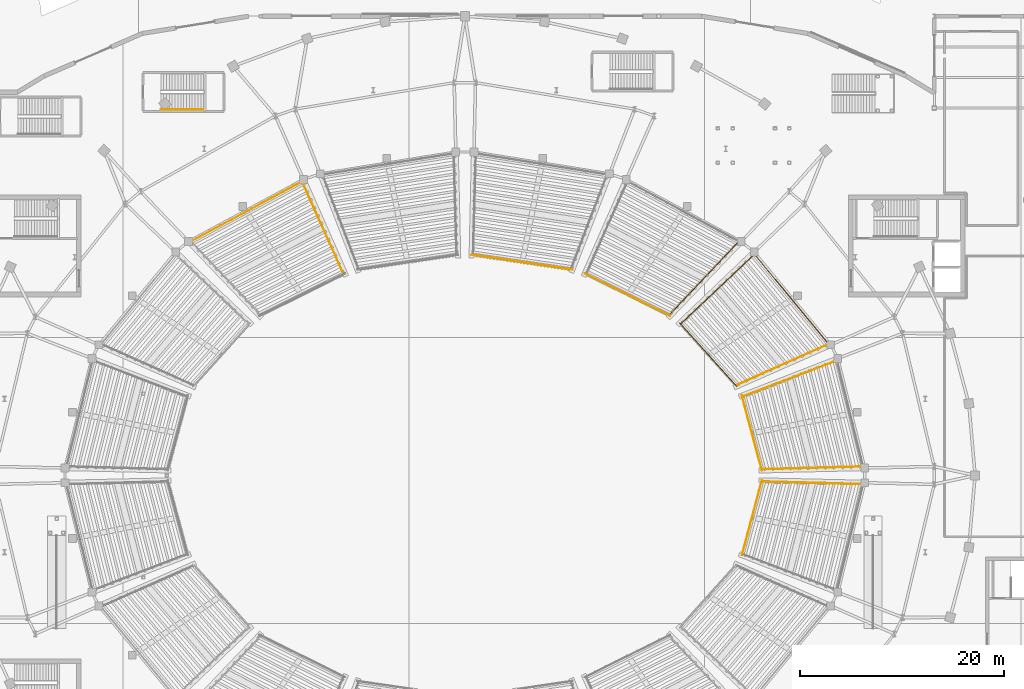
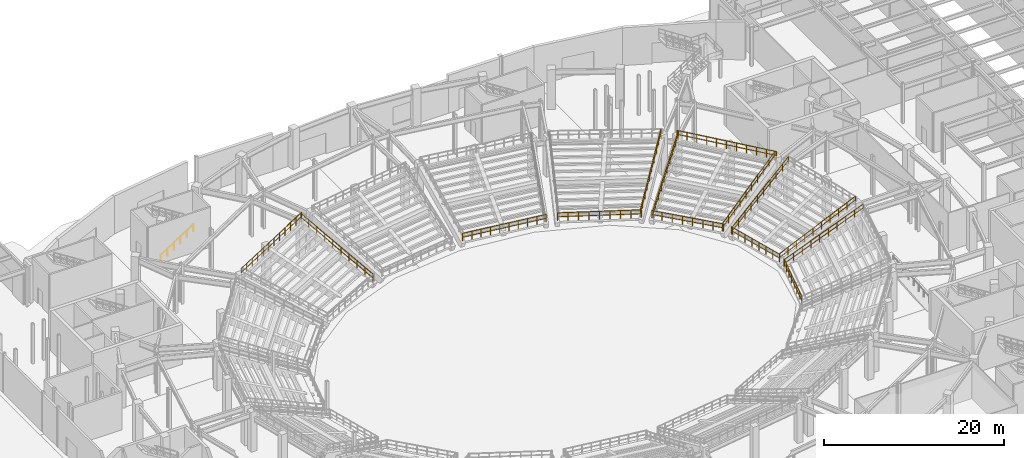
# One storey, part 76 of 79: 15 railings.
"""IFC4 building model written with IfcOpenShell, lengths in metres."""

from ifc_helpers import new_model, si_unit, direction, frame, origin, origin_2d, place, context, subcontext, project, spatial, circle, extrude, material, type_object, element, save


model = new_model("IFC4")

# Units and contexts
model_context = context("Model", 3, precision=1e-05, world=origin(), true_north=direction((0.0, 1.0)))
body_context = subcontext(model_context, "Body", "Model", "MODEL_VIEW")
ifc_project = project(units=[si_unit("LENGTHUNIT", "METRE"), si_unit("AREAUNIT", "SQUARE_METRE"), si_unit("VOLUMEUNIT", "CUBIC_METRE"), si_unit("PLANEANGLEUNIT", "RADIAN"), si_unit("MASSUNIT", "GRAM", prefix="KILO")], contexts=[model_context])

# Site, building, storey
site_placement = place(None, origin())
site = spatial("IfcSite", under=ifc_project, at=site_placement, CompositionType="ELEMENT")
building_placement = place(site_placement, origin())
building = spatial("IfcBuilding", under=site, at=building_placement, Name="Glasvene Arena", CompositionType="ELEMENT")
storey_placement = place(building_placement, origin())
storey = spatial("IfcBuildingStorey", under=building, at=storey_placement, Name="L00", CompositionType="ELEMENT", Elevation=0.0)

# Railings
ifc_material = material(Name="Brushed stainless steel", Category="steel")
railing_type_1 = type_object("IfcRailingType", Name="RL-GUARD-1100", PredefinedType="GUARDRAIL", material=ifc_material)
railing_1_placement = place(storey_placement, frame((121.112548828125, 73.490478515625, 0.760009765625)))
element("IfcRailing", 1, at=railing_1_placement, inside=storey, type_object=railing_type_1, Name="Safety guardrail GD-TL-LF-01-001", PredefinedType="GUARDRAIL", context=body_context, shape_type="SweptSolid", body=[
    extrude(circle(Radius=0.02392578125, at=origin_2d()), frame((0.0, 0.0, 1.076171875), z_axis=(-0.258774155534, 0.965937853295, 0.0), x_axis=(-0.965937853295, -0.258774155534, 0.0)), (0.0, 0.0, 1.0), 7.586181640625),
    extrude(circle(Radius=0.01611328125, at=origin_2d()), frame((0.0, 0.0, 0.550048828125), z_axis=(-0.258774155534, 0.965937853295, 0.0), x_axis=(-0.965937853295, -0.258774155534, 0.0)), (0.0, 0.0, 1.0), 7.586181640625),
    extrude(circle(Radius=0.02099609375, at=origin_2d()), origin(), (0.0, 0.0, 1.0), 1.052001953125),
    extrude(circle(Radius=0.02099609375, at=origin_2d()), frame((-0.280517578125, 1.046875, 0.0)), (0.0, 0.0, 1.0), 1.052001953125),
    extrude(circle(Radius=0.02099609375, at=origin_2d()), frame((-0.560791015625, 2.09375, 0.0)), (0.0, 0.0, 1.0), 1.052001953125),
    extrude(circle(Radius=0.02099609375, at=origin_2d()), frame((-0.84130859375, 3.140625, 0.0)), (0.0, 0.0, 1.0), 1.052001953125),
    extrude(circle(Radius=0.02099609375, at=origin_2d()), frame((-1.121826171875, 4.187255859375, 0.0)), (0.0, 0.0, 1.0), 1.052001953125),
    extrude(circle(Radius=0.02099609375, at=origin_2d()), frame((-1.40234375, 5.234130859375, 0.0)), (0.0, 0.0, 1.0), 1.052001953125),
    extrude(circle(Radius=0.02099609375, at=origin_2d()), frame((-1.6826171875, 6.281005859375, 0.0)), (0.0, 0.0, 1.0), 1.052001953125),
    extrude(circle(Radius=0.02099609375, at=origin_2d()), frame((-1.963134765625, 7.327880859375, 0.0)), (0.0, 0.0, 1.0), 1.052001953125),
])
railing_2_placement = place(storey_placement, frame((121.138916015625, 73.599365234375, 0.760009765625)))
element("IfcRailing", 2, at=railing_2_placement, inside=storey, type_object=railing_type_1, Name="Lower tier radial aisle guard 01-1", PredefinedType="GUARDRAIL", context=body_context, shape_type="SweptSolid", body=[
    extrude(circle(Radius=0.02392578125, at=origin_2d()), frame((0.0, 0.0, 1.076171875), z_axis=(0.920895570799, 0.025513537426, 0.388973530065), x_axis=(-0.027694509667, 0.999616433506, 0.0)), (0.0, 0.0, 1.0), 10.74609375),
    extrude(circle(Radius=0.01611328125, at=origin_2d()), frame((0.0, 0.0, 0.550048828125), z_axis=(0.920895570799, 0.025513537426, 0.388973530065), x_axis=(-0.027694509667, 0.999616433506, 0.0)), (0.0, 0.0, 1.0), 10.74609375),
    extrude(circle(Radius=0.02099609375, at=origin_2d()), origin(), (0.0, 0.0, 1.0), 1.052001953125),
    extrude(circle(Radius=0.02099609375, at=origin_2d()), frame((1.099609375, 0.030517578125, 0.46435546875)), (0.0, 0.0, 1.0), 1.052001953125),
    extrude(circle(Radius=0.02099609375, at=origin_2d()), frame((2.19921875, 0.06103515625, 0.928955078125)), (0.0, 0.0, 1.0), 1.052001953125),
    extrude(circle(Radius=0.02099609375, at=origin_2d()), frame((3.298583984375, 0.09130859375, 1.393310546875)), (0.0, 0.0, 1.0), 1.052001953125),
    extrude(circle(Radius=0.02099609375, at=origin_2d()), frame((4.398193359375, 0.121826171875, 1.857666015625)), (0.0, 0.0, 1.0), 1.052001953125),
    extrude(circle(Radius=0.02099609375, at=origin_2d()), frame((5.497802734375, 0.15234375, 2.322265625)), (0.0, 0.0, 1.0), 1.052001953125),
    extrude(circle(Radius=0.02099609375, at=origin_2d()), frame((6.597412109375, 0.182861328125, 2.78662109375)), (0.0, 0.0, 1.0), 1.052001953125),
    extrude(circle(Radius=0.02099609375, at=origin_2d()), frame((7.69677734375, 0.213134765625, 3.2509765625)), (0.0, 0.0, 1.0), 1.052001953125),
    extrude(circle(Radius=0.02099609375, at=origin_2d()), frame((8.79638671875, 0.24365234375, 3.715576171875)), (0.0, 0.0, 1.0), 1.052001953125),
    extrude(circle(Radius=0.02099609375, at=origin_2d()), frame((9.89599609375, 0.274169921875, 4.179931640625)), (0.0, 0.0, 1.0), 1.052001953125),
])
railing_3_placement = place(storey_placement, frame((119.2294921875, 80.728271484375, 0.760009765625)))
element("IfcRailing", 3, at=railing_3_placement, inside=storey, type_object=railing_type_1, Name="Lower tier radial aisle guard 01-2", PredefinedType="GUARDRAIL", context=body_context, shape_type="SweptSolid", body=[
    extrude(circle(Radius=0.02392578125, at=origin_2d()), frame((0.0, 0.0, 1.076171875), z_axis=(0.860565498755, 0.328831939306, 0.388968608046), x_axis=(-0.356940655719, 0.934127062179, 0.0)), (0.0, 0.0, 1.0), 10.74609375),
    extrude(circle(Radius=0.01611328125, at=origin_2d()), frame((0.0, 0.0, 0.550048828125), z_axis=(0.860565498755, 0.328831939306, 0.388968608046), x_axis=(-0.356940655719, 0.934127062179, 0.0)), (0.0, 0.0, 1.0), 10.74609375),
    extrude(circle(Radius=0.02099609375, at=origin_2d()), origin(), (0.0, 0.0, 1.0), 1.052001953125),
    extrude(circle(Radius=0.02099609375, at=origin_2d()), frame((1.027587890625, 0.392578125, 0.46435546875)), (0.0, 0.0, 1.0), 1.052001953125),
    extrude(circle(Radius=0.02099609375, at=origin_2d()), frame((2.05517578125, 0.78515625, 0.928955078125)), (0.0, 0.0, 1.0), 1.052001953125),
    extrude(circle(Radius=0.02099609375, at=origin_2d()), frame((3.08251953125, 1.177978515625, 1.393310546875)), (0.0, 0.0, 1.0), 1.052001953125),
    extrude(circle(Radius=0.02099609375, at=origin_2d()), frame((4.110107421875, 1.570556640625, 1.857666015625)), (0.0, 0.0, 1.0), 1.052001953125),
    extrude(circle(Radius=0.02099609375, at=origin_2d()), frame((5.1376953125, 1.963134765625, 2.322265625)), (0.0, 0.0, 1.0), 1.052001953125),
    extrude(circle(Radius=0.02099609375, at=origin_2d()), frame((6.165283203125, 2.355712890625, 2.78662109375)), (0.0, 0.0, 1.0), 1.052001953125),
    extrude(circle(Radius=0.02099609375, at=origin_2d()), frame((7.192626953125, 2.74853515625, 3.2509765625)), (0.0, 0.0, 1.0), 1.052001953125),
    extrude(circle(Radius=0.02099609375, at=origin_2d()), frame((8.22021484375, 3.14111328125, 3.715576171875)), (0.0, 0.0, 1.0), 1.052001953125),
    extrude(circle(Radius=0.02099609375, at=origin_2d()), frame((9.247802734375, 3.53369140625, 4.179931640625)), (0.0, 0.0, 1.0), 1.052001953125),
])
railing_4_placement = place(storey_placement, frame((118.6435546875, 81.724609375, 0.760009765625)))
element("IfcRailing", 4, at=railing_4_placement, inside=storey, type_object=railing_type_1, Name="Safety guardrail GD-TL-LF-02-001", PredefinedType="GUARDRAIL", context=body_context, shape_type="SweptSolid", body=[
    extrude(circle(Radius=0.02392578125, at=origin_2d()), frame((0.0, 0.0, 1.076171875), z_axis=(-0.668942136824, 0.743314480944, 0.0), x_axis=(-0.743314480944, -0.668942136824, 0.0)), (0.0, 0.0, 1.0), 8.357666015625),
    extrude(circle(Radius=0.01611328125, at=origin_2d()), frame((0.0, 0.0, 0.550048828125), z_axis=(-0.668942136824, 0.743314480944, 0.0), x_axis=(-0.743314480944, -0.668942136824, 0.0)), (0.0, 0.0, 1.0), 8.357666015625),
    extrude(circle(Radius=0.02099609375, at=origin_2d()), origin(), (0.0, 0.0, 1.0), 1.052001953125),
    extrude(circle(Radius=0.02099609375, at=origin_2d()), frame((-0.798583984375, 0.887451171875, 0.0)), (0.0, 0.0, 1.0), 1.052001953125),
    extrude(circle(Radius=0.02099609375, at=origin_2d()), frame((-1.597412109375, 1.77490234375, 0.0)), (0.0, 0.0, 1.0), 1.052001953125),
    extrude(circle(Radius=0.02099609375, at=origin_2d()), frame((-2.39599609375, 2.662353515625, 0.0)), (0.0, 0.0, 1.0), 1.052001953125),
    extrude(circle(Radius=0.02099609375, at=origin_2d()), frame((-3.19482421875, 3.550048828125, 0.0)), (0.0, 0.0, 1.0), 1.052001953125),
    extrude(circle(Radius=0.02099609375, at=origin_2d()), frame((-3.993408203125, 4.4375, 0.0)), (0.0, 0.0, 1.0), 1.052001953125),
    extrude(circle(Radius=0.02099609375, at=origin_2d()), frame((-4.792236328125, 5.324951171875, 0.0)), (0.0, 0.0, 1.0), 1.052001953125),
    extrude(circle(Radius=0.02099609375, at=origin_2d()), frame((-5.5908203125, 6.21240234375, 0.0)), (0.0, 0.0, 1.0), 1.052001953125),
])
railing_5_placement = place(storey_placement, frame((127.756591796875, 85.743896484375, 4.93994140625)))
element("IfcRailing", 5, at=railing_5_placement, inside=storey, type_object=railing_type_1, Name="Safety guardrail GD-TL-LR-02-001", PredefinedType="GUARDRAIL", context=body_context, shape_type="SweptSolid", body=[
    extrude(circle(Radius=0.02392578125, at=origin_2d()), frame((0.0, 0.0, 1.076171875), z_axis=(-0.637226468671, 0.770676603787, 0.0), x_axis=(-0.770676603787, -0.637226468671, 0.0)), (0.0, 0.0, 1.0), 11.7744140625),
    extrude(circle(Radius=0.01611328125, at=origin_2d()), frame((0.0, 0.0, 0.550048828125), z_axis=(-0.637226468671, 0.770676603787, 0.0), x_axis=(-0.770676603787, -0.637226468671, 0.0)), (0.0, 0.0, 1.0), 11.7744140625),
    extrude(circle(Radius=0.02099609375, at=origin_2d()), origin(), (0.0, 0.0, 1.0), 1.052001953125),
    extrude(circle(Radius=0.02099609375, at=origin_2d()), frame((-0.750244140625, 0.907470703125, 0.0)), (0.0, 0.0, 1.0), 1.052001953125),
    extrude(circle(Radius=0.02099609375, at=origin_2d()), frame((-1.50048828125, 1.81494140625, 0.0)), (0.0, 0.0, 1.0), 1.052001953125),
    extrude(circle(Radius=0.02099609375, at=origin_2d()), frame((-2.2509765625, 2.72216796875, 0.0)), (0.0, 0.0, 1.0), 1.052001953125),
    extrude(circle(Radius=0.02099609375, at=origin_2d()), frame((-3.001220703125, 3.629638671875, 0.0)), (0.0, 0.0, 1.0), 1.052001953125),
    extrude(circle(Radius=0.02099609375, at=origin_2d()), frame((-3.75146484375, 4.537109375, 0.0)), (0.0, 0.0, 1.0), 1.052001953125),
    extrude(circle(Radius=0.02099609375, at=origin_2d()), frame((-4.501708984375, 5.444580078125, 0.0)), (0.0, 0.0, 1.0), 1.052001953125),
    extrude(circle(Radius=0.02099609375, at=origin_2d()), frame((-5.251953125, 6.35205078125, 0.0)), (0.0, 0.0, 1.0), 1.052001953125),
    extrude(circle(Radius=0.02099609375, at=origin_2d()), frame((-6.00244140625, 7.25927734375, 0.0)), (0.0, 0.0, 1.0), 1.052001953125),
    extrude(circle(Radius=0.02099609375, at=origin_2d()), frame((-6.752685546875, 8.166748046875, 0.0)), (0.0, 0.0, 1.0), 1.052001953125),
    extrude(circle(Radius=0.02099609375, at=origin_2d()), frame((-7.5029296875, 9.07421875, 0.0)), (0.0, 0.0, 1.0), 1.052001953125),
])
railing_6_placement = place(storey_placement, frame((118.61181640625, 81.835693359375, 0.760009765625)))
element("IfcRailing", 6, at=railing_6_placement, inside=storey, type_object=railing_type_1, Name="Lower tier radial aisle guard 02-1", PredefinedType="GUARDRAIL", context=body_context, shape_type="SweptSolid", body=[
    extrude(circle(Radius=0.02392578125, at=origin_2d()), frame((0.0, 0.0, 1.076171875), z_axis=(0.841042563184, 0.375970107459, 0.388965146523), x_axis=(-0.408107570305, 0.912933848129, 0.0)), (0.0, 0.0, 1.0), 10.746337890625),
    extrude(circle(Radius=0.01611328125, at=origin_2d()), frame((0.0, 0.0, 0.550048828125), z_axis=(0.841042563184, 0.375970107459, 0.388965146523), x_axis=(-0.408107570305, 0.912933848129, 0.0)), (0.0, 0.0, 1.0), 10.746337890625),
    extrude(circle(Radius=0.02099609375, at=origin_2d()), origin(), (0.0, 0.0, 1.0), 1.052001953125),
    extrude(circle(Radius=0.02099609375, at=origin_2d()), frame((1.004150390625, 0.448974609375, 0.46435546875)), (0.0, 0.0, 1.0), 1.052001953125),
    extrude(circle(Radius=0.02099609375, at=origin_2d()), frame((2.008544921875, 0.89794921875, 0.928955078125)), (0.0, 0.0, 1.0), 1.052001953125),
    extrude(circle(Radius=0.02099609375, at=origin_2d()), frame((3.0126953125, 1.3466796875, 1.393310546875)), (0.0, 0.0, 1.0), 1.052001953125),
    extrude(circle(Radius=0.02099609375, at=origin_2d()), frame((4.016845703125, 1.795654296875, 1.857666015625)), (0.0, 0.0, 1.0), 1.052001953125),
    extrude(circle(Radius=0.02099609375, at=origin_2d()), frame((5.021240234375, 2.24462890625, 2.322265625)), (0.0, 0.0, 1.0), 1.052001953125),
    extrude(circle(Radius=0.02099609375, at=origin_2d()), frame((6.025390625, 2.693603515625, 2.78662109375)), (0.0, 0.0, 1.0), 1.052001953125),
    extrude(circle(Radius=0.02099609375, at=origin_2d()), frame((7.029541015625, 3.142333984375, 3.2509765625)), (0.0, 0.0, 1.0), 1.052001953125),
    extrude(circle(Radius=0.02099609375, at=origin_2d()), frame((8.033935546875, 3.59130859375, 3.715576171875)), (0.0, 0.0, 1.0), 1.052001953125),
    extrude(circle(Radius=0.02099609375, at=origin_2d()), frame((9.0380859375, 4.040283203125, 4.179931640625)), (0.0, 0.0, 1.0), 1.052001953125),
])
railing_7_placement = place(storey_placement, frame((113.1748046875, 87.879150390625, 0.760009765625)))
element("IfcRailing", 7, at=railing_7_placement, inside=storey, type_object=railing_type_1, Name="Lower tier radial aisle guard 02-2", PredefinedType="GUARDRAIL", context=body_context, shape_type="SweptSolid", body=[
    extrude(circle(Radius=0.02392578125, at=origin_2d()), frame((0.0, 0.0, 1.076171875), z_axis=(0.669213812834, 0.633137106626, 0.388960508183), x_axis=(-0.687255427654, 0.726415843137, 0.0)), (0.0, 0.0, 1.0), 10.746337890625),
    extrude(circle(Radius=0.01611328125, at=origin_2d()), frame((0.0, 0.0, 0.550048828125), z_axis=(0.669213812834, 0.633137106626, 0.388960508183), x_axis=(-0.687255427654, 0.726415843137, 0.0)), (0.0, 0.0, 1.0), 10.746337890625),
    extrude(circle(Radius=0.02099609375, at=origin_2d()), origin(), (0.0, 0.0, 1.0), 1.052001953125),
    extrude(circle(Radius=0.02099609375, at=origin_2d()), frame((0.799072265625, 0.756103515625, 0.46435546875)), (0.0, 0.0, 1.0), 1.052001953125),
    extrude(circle(Radius=0.02099609375, at=origin_2d()), frame((1.59814453125, 1.511962890625, 0.928955078125)), (0.0, 0.0, 1.0), 1.052001953125),
    extrude(circle(Radius=0.02099609375, at=origin_2d()), frame((2.397216796875, 2.26806640625, 1.393310546875)), (0.0, 0.0, 1.0), 1.052001953125),
    extrude(circle(Radius=0.02099609375, at=origin_2d()), frame((3.1962890625, 3.02392578125, 1.857666015625)), (0.0, 0.0, 1.0), 1.052001953125),
    extrude(circle(Radius=0.02099609375, at=origin_2d()), frame((3.995361328125, 3.780029296875, 2.322265625)), (0.0, 0.0, 1.0), 1.052001953125),
    extrude(circle(Radius=0.02099609375, at=origin_2d()), frame((4.79443359375, 4.535888671875, 2.78662109375)), (0.0, 0.0, 1.0), 1.052001953125),
    extrude(circle(Radius=0.02099609375, at=origin_2d()), frame((5.593505859375, 5.2919921875, 3.2509765625)), (0.0, 0.0, 1.0), 1.052001953125),
    extrude(circle(Radius=0.02099609375, at=origin_2d()), frame((6.392578125, 6.0478515625, 3.715576171875)), (0.0, 0.0, 1.0), 1.052001953125),
    extrude(circle(Radius=0.02099609375, at=origin_2d()), frame((7.191650390625, 6.803955078125, 4.179931640625)), (0.0, 0.0, 1.0), 1.052001953125),
])
railing_8_placement = place(storey_placement, frame((112.118408203125, 88.630615234375, 0.760009765625)))
element("IfcRailing", 8, at=railing_8_placement, inside=storey, type_object=railing_type_1, Name="Safety guardrail GD-TL-LF-03-001", PredefinedType="GUARDRAIL", context=body_context, shape_type="SweptSolid", body=[
    extrude(circle(Radius=0.02392578125, at=origin_2d()), frame((0.0, 0.0, 1.076171875), z_axis=(-0.895823833507, 0.444409337572, 0.0), x_axis=(-0.444409337572, -0.895823833507, 0.0)), (0.0, 0.0, 1.0), 9.34033203125),
    extrude(circle(Radius=0.01611328125, at=origin_2d()), frame((0.0, 0.0, 0.550048828125), z_axis=(-0.895823833507, 0.444409337572, 0.0), x_axis=(-0.444409337572, -0.895823833507, 0.0)), (0.0, 0.0, 1.0), 9.34033203125),
    extrude(circle(Radius=0.02099609375, at=origin_2d()), origin(), (0.0, 0.0, 1.0), 1.052001953125),
    extrude(circle(Radius=0.02099609375, at=origin_2d()), frame((-1.0458984375, 0.518798828125, 0.0)), (0.0, 0.0, 1.0), 1.052001953125),
    extrude(circle(Radius=0.02099609375, at=origin_2d()), frame((-2.091796875, 1.03759765625, 0.0)), (0.0, 0.0, 1.0), 1.052001953125),
    extrude(circle(Radius=0.02099609375, at=origin_2d()), frame((-3.1376953125, 1.556640625, 0.0)), (0.0, 0.0, 1.0), 1.052001953125),
    extrude(circle(Radius=0.02099609375, at=origin_2d()), frame((-4.18359375, 2.075439453125, 0.0)), (0.0, 0.0, 1.0), 1.052001953125),
    extrude(circle(Radius=0.02099609375, at=origin_2d()), frame((-5.2294921875, 2.59423828125, 0.0)), (0.0, 0.0, 1.0), 1.052001953125),
    extrude(circle(Radius=0.02099609375, at=origin_2d()), frame((-6.275390625, 3.11328125, 0.0)), (0.0, 0.0, 1.0), 1.052001953125),
    extrude(circle(Radius=0.02099609375, at=origin_2d()), frame((-7.3212890625, 3.632080078125, 0.0)), (0.0, 0.0, 1.0), 1.052001953125),
    extrude(circle(Radius=0.02099609375, at=origin_2d()), frame((-8.3671875, 4.15087890625, 0.0)), (0.0, 0.0, 1.0), 1.052001953125),
])
railing_9_placement = place(storey_placement, frame((112.03369140625, 88.726806640625, 0.760009765625)))
element("IfcRailing", 9, at=railing_9_placement, inside=storey, type_object=railing_type_1, Name="Lower tier radial aisle guard 03-1", PredefinedType="GUARDRAIL", context=body_context, shape_type="SweptSolid", body=[
    extrude(circle(Radius=0.02392578125, at=origin_2d()), frame((0.0, 0.0, 1.076171875), z_axis=(0.633133120907, 0.669210894554, 0.388972016759), x_axis=(-0.726416506845, 0.687254726126, 0.0)), (0.0, 0.0, 1.0), 10.74609375),
    extrude(circle(Radius=0.01611328125, at=origin_2d()), frame((0.0, 0.0, 0.550048828125), z_axis=(0.633133120907, 0.669210894554, 0.388972016759), x_axis=(-0.726416506845, 0.687254726126, 0.0)), (0.0, 0.0, 1.0), 10.74609375),
    extrude(circle(Radius=0.02099609375, at=origin_2d()), origin(), (0.0, 0.0, 1.0), 1.052001953125),
    extrude(circle(Radius=0.02099609375, at=origin_2d()), frame((0.755859375, 0.799072265625, 0.46435546875)), (0.0, 0.0, 1.0), 1.052001953125),
    extrude(circle(Radius=0.02099609375, at=origin_2d()), frame((1.511962890625, 1.59814453125, 0.928955078125)), (0.0, 0.0, 1.0), 1.052001953125),
    extrude(circle(Radius=0.02099609375, at=origin_2d()), frame((2.267822265625, 2.397216796875, 1.393310546875)), (0.0, 0.0, 1.0), 1.052001953125),
    extrude(circle(Radius=0.02099609375, at=origin_2d()), frame((3.02392578125, 3.1962890625, 1.857666015625)), (0.0, 0.0, 1.0), 1.052001953125),
    extrude(circle(Radius=0.02099609375, at=origin_2d()), frame((3.77978515625, 3.9951171875, 2.322265625)), (0.0, 0.0, 1.0), 1.052001953125),
    extrude(circle(Radius=0.02099609375, at=origin_2d()), frame((4.535888671875, 4.794189453125, 2.78662109375)), (0.0, 0.0, 1.0), 1.052001953125),
    extrude(circle(Radius=0.02099609375, at=origin_2d()), frame((5.291748046875, 5.59326171875, 3.2509765625)), (0.0, 0.0, 1.0), 1.052001953125),
    extrude(circle(Radius=0.02099609375, at=origin_2d()), frame((6.0478515625, 6.392333984375, 3.715576171875)), (0.0, 0.0, 1.0), 1.052001953125),
    extrude(circle(Radius=0.02099609375, at=origin_2d()), frame((6.8037109375, 7.19140625, 4.179931640625)), (0.0, 0.0, 1.0), 1.052001953125),
])
railing_10_placement = place(storey_placement, frame((102.530517578125, 93.15673828125, 0.760009765625)))
element("IfcRailing", 10, at=railing_10_placement, inside=storey, type_object=railing_type_1, Name="Safety guardrail GD-TL-LF-04-001", PredefinedType="GUARDRAIL", context=body_context, shape_type="SweptSolid", body=[
    extrude(circle(Radius=0.02392578125, at=origin_2d()), frame((0.0, 0.0, 1.076171875), z_axis=(-0.989267876597, 0.146113203828, 0.0), x_axis=(-0.146113203828, -0.989267876597, 0.0)), (0.0, 0.0, 1.0), 9.97705078125),
    extrude(circle(Radius=0.01611328125, at=origin_2d()), frame((0.0, 0.0, 0.550048828125), z_axis=(-0.989267876597, 0.146113203828, 0.0), x_axis=(-0.146113203828, -0.989267876597, 0.0)), (0.0, 0.0, 1.0), 9.97705078125),
    extrude(circle(Radius=0.02099609375, at=origin_2d()), origin(), (0.0, 0.0, 1.0), 1.052001953125),
    extrude(circle(Radius=0.02099609375, at=origin_2d()), frame((-1.0966796875, 0.161865234375, 0.0)), (0.0, 0.0, 1.0), 1.052001953125),
    extrude(circle(Radius=0.02099609375, at=origin_2d()), frame((-2.193359375, 0.323974609375, 0.0)), (0.0, 0.0, 1.0), 1.052001953125),
    extrude(circle(Radius=0.02099609375, at=origin_2d()), frame((-3.2900390625, 0.48583984375, 0.0)), (0.0, 0.0, 1.0), 1.052001953125),
    extrude(circle(Radius=0.02099609375, at=origin_2d()), frame((-4.38671875, 0.64794921875, 0.0)), (0.0, 0.0, 1.0), 1.052001953125),
    extrude(circle(Radius=0.02099609375, at=origin_2d()), frame((-5.483154296875, 0.809814453125, 0.0)), (0.0, 0.0, 1.0), 1.052001953125),
    extrude(circle(Radius=0.02099609375, at=origin_2d()), frame((-6.579833984375, 0.971923828125, 0.0)), (0.0, 0.0, 1.0), 1.052001953125),
    extrude(circle(Radius=0.02099609375, at=origin_2d()), frame((-7.676513671875, 1.1337890625, 0.0)), (0.0, 0.0, 1.0), 1.052001953125),
    extrude(circle(Radius=0.02099609375, at=origin_2d()), frame((-8.773193359375, 1.2958984375, 0.0)), (0.0, 0.0, 1.0), 1.052001953125),
    extrude(circle(Radius=0.02099609375, at=origin_2d()), frame((-9.869873046875, 1.457763671875, 0.0)), (0.0, 0.0, 1.0), 1.052001953125),
])
railing_11_placement = place(storey_placement, frame((76.2294921875, 101.894287109375, 4.93994140625)))
element("IfcRailing", 11, at=railing_11_placement, inside=storey, type_object=railing_type_1, Name="Safety guardrail GD-TL-LR-06-001", PredefinedType="GUARDRAIL", context=body_context, shape_type="SweptSolid", body=[
    extrude(circle(Radius=0.02392578125, at=origin_2d()), frame((0.0, 0.0, 1.076171875), z_axis=(-0.87993179108, -0.475100034779, 0.0), x_axis=(0.475100034779, -0.87993179108, 0.0)), (0.0, 0.0, 1.0), 12.761474609375),
    extrude(circle(Radius=0.01611328125, at=origin_2d()), frame((0.0, 0.0, 0.550048828125), z_axis=(-0.87993179108, -0.475100034779, 0.0), x_axis=(0.475100034779, -0.87993179108, 0.0)), (0.0, 0.0, 1.0), 12.761474609375),
    extrude(circle(Radius=0.02099609375, at=origin_2d()), origin(), (0.0, 0.0, 1.0), 1.052001953125),
    extrude(circle(Radius=0.02099609375, at=origin_2d()), frame((-1.020751953125, -0.55126953125, 0.0)), (0.0, 0.0, 1.0), 1.052001953125),
    extrude(circle(Radius=0.02099609375, at=origin_2d()), frame((-2.041748046875, -1.102294921875, 0.0)), (0.0, 0.0, 1.0), 1.052001953125),
    extrude(circle(Radius=0.02099609375, at=origin_2d()), frame((-3.0625, -1.653564453125, 0.0)), (0.0, 0.0, 1.0), 1.052001953125),
    extrude(circle(Radius=0.02099609375, at=origin_2d()), frame((-4.083251953125, -2.204833984375, 0.0)), (0.0, 0.0, 1.0), 1.052001953125),
    extrude(circle(Radius=0.02099609375, at=origin_2d()), frame((-5.104248046875, -2.755859375, 0.0)), (0.0, 0.0, 1.0), 1.052001953125),
    extrude(circle(Radius=0.02099609375, at=origin_2d()), frame((-6.125, -3.30712890625, 0.0)), (0.0, 0.0, 1.0), 1.052001953125),
    extrude(circle(Radius=0.02099609375, at=origin_2d()), frame((-7.14599609375, -3.858154296875, 0.0)), (0.0, 0.0, 1.0), 1.052001953125),
    extrude(circle(Radius=0.02099609375, at=origin_2d()), frame((-8.166748046875, -4.409423828125, 0.0)), (0.0, 0.0, 1.0), 1.052001953125),
    extrude(circle(Radius=0.02099609375, at=origin_2d()), frame((-9.1875, -4.960693359375, 0.0)), (0.0, 0.0, 1.0), 1.052001953125),
    extrude(circle(Radius=0.02099609375, at=origin_2d()), frame((-10.20849609375, -5.51171875, 0.0)), (0.0, 0.0, 1.0), 1.052001953125),
    extrude(circle(Radius=0.02099609375, at=origin_2d()), frame((-11.229248046875, -6.06298828125, 0.0)), (0.0, 0.0, 1.0), 1.052001953125),
])
railing_12_placement = place(storey_placement, frame((80.103515625, 92.764892578125, 0.760009765625)))
element("IfcRailing", 12, at=railing_12_placement, inside=storey, type_object=railing_type_1, Name="Lower tier radial aisle guard 06-1", PredefinedType="GUARDRAIL", context=body_context, shape_type="SweptSolid", body=[
    extrude(circle(Radius=0.02392578125, at=origin_2d()), frame((0.0, 0.0, 1.076171875), z_axis=(-0.375989614455, 0.841035379282, 0.388961824114), x_axis=(-0.912924660078, -0.408128123292, 0.0)), (0.0, 0.0, 1.0), 10.746337890625),
    extrude(circle(Radius=0.01611328125, at=origin_2d()), frame((0.0, 0.0, 0.550048828125), z_axis=(-0.375989614455, 0.841035379282, 0.388961824114), x_axis=(-0.912924660078, -0.408128123292, 0.0)), (0.0, 0.0, 1.0), 10.746337890625),
    extrude(circle(Radius=0.02099609375, at=origin_2d()), origin(), (0.0, 0.0, 1.0), 1.052001953125),
    extrude(circle(Radius=0.02099609375, at=origin_2d()), frame((-0.448974609375, 1.004150390625, 0.46435546875)), (0.0, 0.0, 1.0), 1.052001953125),
    extrude(circle(Radius=0.02099609375, at=origin_2d()), frame((-0.89794921875, 2.008544921875, 0.928955078125)), (0.0, 0.0, 1.0), 1.052001953125),
    extrude(circle(Radius=0.02099609375, at=origin_2d()), frame((-1.346923828125, 3.0126953125, 1.393310546875)), (0.0, 0.0, 1.0), 1.052001953125),
    extrude(circle(Radius=0.02099609375, at=origin_2d()), frame((-1.7958984375, 4.016845703125, 1.857666015625)), (0.0, 0.0, 1.0), 1.052001953125),
    extrude(circle(Radius=0.02099609375, at=origin_2d()), frame((-2.24462890625, 5.021240234375, 2.322265625)), (0.0, 0.0, 1.0), 1.052001953125),
    extrude(circle(Radius=0.02099609375, at=origin_2d()), frame((-2.693603515625, 6.025390625, 2.78662109375)), (0.0, 0.0, 1.0), 1.052001953125),
    extrude(circle(Radius=0.02099609375, at=origin_2d()), frame((-3.142578125, 7.029541015625, 3.2509765625)), (0.0, 0.0, 1.0), 1.052001953125),
    extrude(circle(Radius=0.02099609375, at=origin_2d()), frame((-3.591552734375, 8.033935546875, 3.715576171875)), (0.0, 0.0, 1.0), 1.052001953125),
    extrude(circle(Radius=0.02099609375, at=origin_2d()), frame((-4.04052734375, 9.0380859375, 4.179931640625)), (0.0, 0.0, 1.0), 1.052001953125),
])
railing_13_placement = place(storey_placement, frame((119.1494140625, 65.181640625, 0.760009765625)))
element("IfcRailing", 13, at=railing_13_placement, inside=storey, type_object=railing_type_1, Name="Safety guardrail GD-TL-LF-16-001", PredefinedType="GUARDRAIL", context=body_context, shape_type="SweptSolid", body=[
    extrude(circle(Radius=0.02392578125, at=origin_2d()), frame((0.0, 0.0, 1.076171875), z_axis=(0.258774155534, 0.965937853295, 0.0), x_axis=(-0.965937853295, 0.258774155534, 0.0)), (0.0, 0.0, 1.0), 7.586181640625),
    extrude(circle(Radius=0.01611328125, at=origin_2d()), frame((0.0, 0.0, 0.550048828125), z_axis=(0.258774155534, 0.965937853295, 0.0), x_axis=(-0.965937853295, 0.258774155534, 0.0)), (0.0, 0.0, 1.0), 7.586181640625),
    extrude(circle(Radius=0.02099609375, at=origin_2d()), origin(), (0.0, 0.0, 1.0), 1.052001953125),
    extrude(circle(Radius=0.02099609375, at=origin_2d()), frame((0.280517578125, 1.046875, 0.0)), (0.0, 0.0, 1.0), 1.052001953125),
    extrude(circle(Radius=0.02099609375, at=origin_2d()), frame((0.560791015625, 2.09375, 0.0)), (0.0, 0.0, 1.0), 1.052001953125),
    extrude(circle(Radius=0.02099609375, at=origin_2d()), frame((0.84130859375, 3.140625, 0.0)), (0.0, 0.0, 1.0), 1.052001953125),
    extrude(circle(Radius=0.02099609375, at=origin_2d()), frame((1.121826171875, 4.187255859375, 0.0)), (0.0, 0.0, 1.0), 1.052001953125),
    extrude(circle(Radius=0.02099609375, at=origin_2d()), frame((1.40234375, 5.234130859375, 0.0)), (0.0, 0.0, 1.0), 1.052001953125),
    extrude(circle(Radius=0.02099609375, at=origin_2d()), frame((1.6826171875, 6.281005859375, 0.0)), (0.0, 0.0, 1.0), 1.052001953125),
    extrude(circle(Radius=0.02099609375, at=origin_2d()), frame((1.963134765625, 7.327880859375, 0.0)), (0.0, 0.0, 1.0), 1.052001953125),
])
railing_14_placement = place(storey_placement, frame((121.138916015625, 72.400634765625, 0.760009765625)))
element("IfcRailing", 14, at=railing_14_placement, inside=storey, type_object=railing_type_1, Name="Lower tier radial aisle guard 16-2", PredefinedType="GUARDRAIL", context=body_context, shape_type="SweptSolid", body=[
    extrude(circle(Radius=0.02392578125, at=origin_2d()), frame((0.0, 0.0, 1.076171875), z_axis=(0.920895570799, -0.025513537426, 0.388973530065), x_axis=(0.027694509667, 0.999616433506, 0.0)), (0.0, 0.0, 1.0), 10.74609375),
    extrude(circle(Radius=0.01611328125, at=origin_2d()), frame((0.0, 0.0, 0.550048828125), z_axis=(0.920895570799, -0.025513537426, 0.388973530065), x_axis=(0.027694509667, 0.999616433506, 0.0)), (0.0, 0.0, 1.0), 10.74609375),
    extrude(circle(Radius=0.02099609375, at=origin_2d()), origin(), (0.0, 0.0, 1.0), 1.052001953125),
    extrude(circle(Radius=0.02099609375, at=origin_2d()), frame((1.099609375, -0.030517578125, 0.46435546875)), (0.0, 0.0, 1.0), 1.052001953125),
    extrude(circle(Radius=0.02099609375, at=origin_2d()), frame((2.19921875, -0.06103515625, 0.928955078125)), (0.0, 0.0, 1.0), 1.052001953125),
    extrude(circle(Radius=0.02099609375, at=origin_2d()), frame((3.298583984375, -0.09130859375, 1.393310546875)), (0.0, 0.0, 1.0), 1.052001953125),
    extrude(circle(Radius=0.02099609375, at=origin_2d()), frame((4.398193359375, -0.121826171875, 1.857666015625)), (0.0, 0.0, 1.0), 1.052001953125),
    extrude(circle(Radius=0.02099609375, at=origin_2d()), frame((5.497802734375, -0.15234375, 2.322265625)), (0.0, 0.0, 1.0), 1.052001953125),
    extrude(circle(Radius=0.02099609375, at=origin_2d()), frame((6.597412109375, -0.182861328125, 2.78662109375)), (0.0, 0.0, 1.0), 1.052001953125),
    extrude(circle(Radius=0.02099609375, at=origin_2d()), frame((7.69677734375, -0.213134765625, 3.2509765625)), (0.0, 0.0, 1.0), 1.052001953125),
    extrude(circle(Radius=0.02099609375, at=origin_2d()), frame((8.79638671875, -0.24365234375, 3.715576171875)), (0.0, 0.0, 1.0), 1.052001953125),
    extrude(circle(Radius=0.02099609375, at=origin_2d()), frame((9.89599609375, -0.274169921875, 4.179931640625)), (0.0, 0.0, 1.0), 1.052001953125),
])
railing_type_2 = type_object("IfcRailingType", Name="RL-HAND-950", PredefinedType="HANDRAIL", material=ifc_material)
railing_15_placement = place(storey_placement, frame((62.199951171875, 108.860107421875, 0.0)))
element("IfcRailing", 15, at=railing_15_placement, inside=storey, type_object=railing_type_2, Name="Stair wall handrail ST-10-L00", PredefinedType="HANDRAIL", context=body_context, shape_type="SweptSolid", body=[
    extrude(circle(Radius=0.02392578125, at=origin_2d()), frame((0.0, 0.0, 0.92578125), z_axis=(0.841180064094, 0.0, 0.540755119968), x_axis=(0.0, 1.0, 0.0)), (0.0, 0.0, 1.0), 4.992919921875),
    extrude(circle(Radius=0.02099609375, at=origin_2d()), origin(), (0.0, 0.0, 1.0), 0.90185546875),
    extrude(circle(Radius=0.02099609375, at=origin_2d()), frame((0.840087890625, 0.0, 0.5400390625)), (0.0, 0.0, 1.0), 0.90185546875),
    extrude(circle(Radius=0.02099609375, at=origin_2d()), frame((1.679931640625, 0.0, 1.080078125)), (0.0, 0.0, 1.0), 0.90185546875),
    extrude(circle(Radius=0.02099609375, at=origin_2d()), frame((2.52001953125, 0.0, 1.619873046875)), (0.0, 0.0, 1.0), 0.90185546875),
    extrude(circle(Radius=0.02099609375, at=origin_2d()), frame((3.35986328125, 0.0, 2.159912109375)), (0.0, 0.0, 1.0), 0.90185546875),
    extrude(circle(Radius=0.02099609375, at=origin_2d()), frame((4.199951171875, 0.0, 2.699951171875)), (0.0, 0.0, 1.0), 0.90185546875),
])

save(model, "model.ifc")
